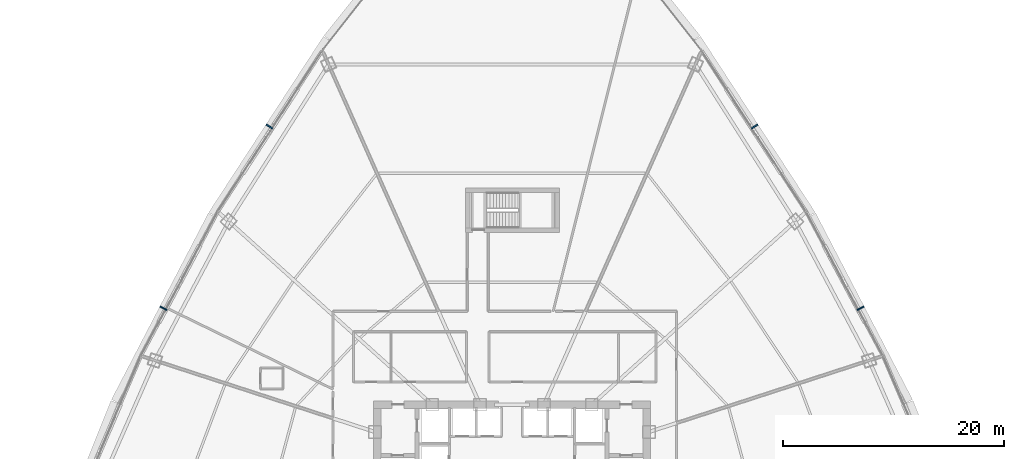
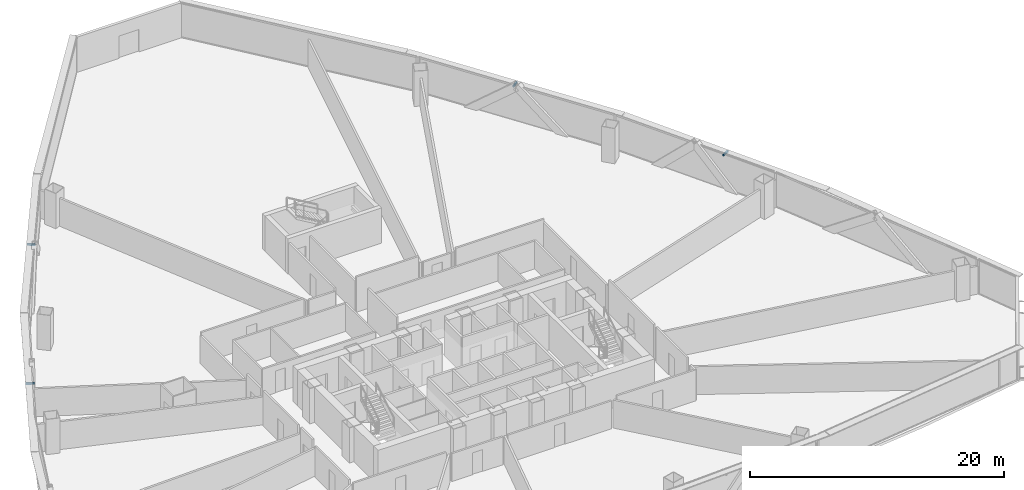
# One storey, part 33 of 37: 4 discrete accessories.
"""IFC4 building model written with IfcOpenShell, lengths in metres."""

from ifc_helpers import new_model, si_unit, direction, frame, origin, origin_2d, place, context, subcontext, project, spatial, rectangle, extrude, source, transform, mapped, material, type_object, element, save


model = new_model("IFC4")

# Units and contexts
model_context = context("Model", 3, precision=1e-05, world=origin(), true_north=direction((0.0, 1.0)))
body_context = subcontext(model_context, "Body", "Model", "MODEL_VIEW")
ifc_project = project(units=[si_unit("LENGTHUNIT", "METRE"), si_unit("AREAUNIT", "SQUARE_METRE"), si_unit("VOLUMEUNIT", "CUBIC_METRE"), si_unit("PLANEANGLEUNIT", "RADIAN"), si_unit("MASSUNIT", "GRAM", prefix="KILO"), si_unit("THERMODYNAMICTEMPERATUREUNIT", "KELVIN"), si_unit("POWERUNIT", "WATT")], contexts=[model_context])

# Site, building, storey
site_placement = place(None, origin())
site = spatial("IfcSite", under=ifc_project, at=site_placement, CompositionType="ELEMENT")
building_placement = place(site_placement, origin())
building = spatial("IfcBuilding", under=site, at=building_placement, Name="Yunzhuo Pagoda Commons", CompositionType="ELEMENT")
storey_placement = place(building_placement, frame((0.0, 0.0, 52.179931640625)))
storey = spatial("IfcBuildingStorey", under=building, at=storey_placement, Name="L13", CompositionType="ELEMENT", Elevation=52.179931640625)

# Discrete accessories
ifc_material = material(Name="Anodized aluminium 6063-T6", Category="aluminium")
discrete_accessory_type = type_object("IfcDiscreteAccessoryType", Name="BK-SUN1 Sunshade Outrigger Bracket", PredefinedType="BRACKET", material=ifc_material)
shared_shape = source(origin(), body_context, "Body", "SweptSolid", [
    extrude(rectangle(XDim=0.1201171875, YDim=0.679931640625, at=origin_2d()), origin(), (0.0, 0.0, 1.0), 0.179931640625),
])
for number, where, z_axis, x_axis, name in (
    (1, (79.564697265625, 48.936279296875, 3.16015625), (0.0, 0.0, 1.0), (-0.461206683033, 0.88729273384, 0.0), "L13 sunshade outrigger bracket F2.2"),
    (2, (69.9619140625, 65.38671875, 3.16015625), (0.0, 0.0, 1.0), (-0.545838756973, 0.837890238269, 0.0), "L13 sunshade outrigger bracket F2.3"),
    (3, (26.0380859375, 65.38671875, 3.16015625), (0.0, 0.0, 1.0), (-0.545838756973, -0.837890238269, 0.0), "L13 sunshade outrigger bracket F3.2"),
    (4, (16.435302734375, 48.936279296875, 3.16015625), (0.0, 0.0, 1.0), (-0.461206683033, -0.88729273384, 0.0), "L13 sunshade outrigger bracket F3.3"),
):
    element("IfcDiscreteAccessory", number, at=place(storey_placement, frame(where, z_axis=z_axis, x_axis=x_axis)), inside=storey, type_object=discrete_accessory_type, Name=name, PredefinedType="BRACKET", context=body_context, shape_type="MappedRepresentation", body=[
        mapped(shared_shape, transform((0.0, 0.0, 0.0), scale=1.0)),
    ])

save(model, "model.ifc")
